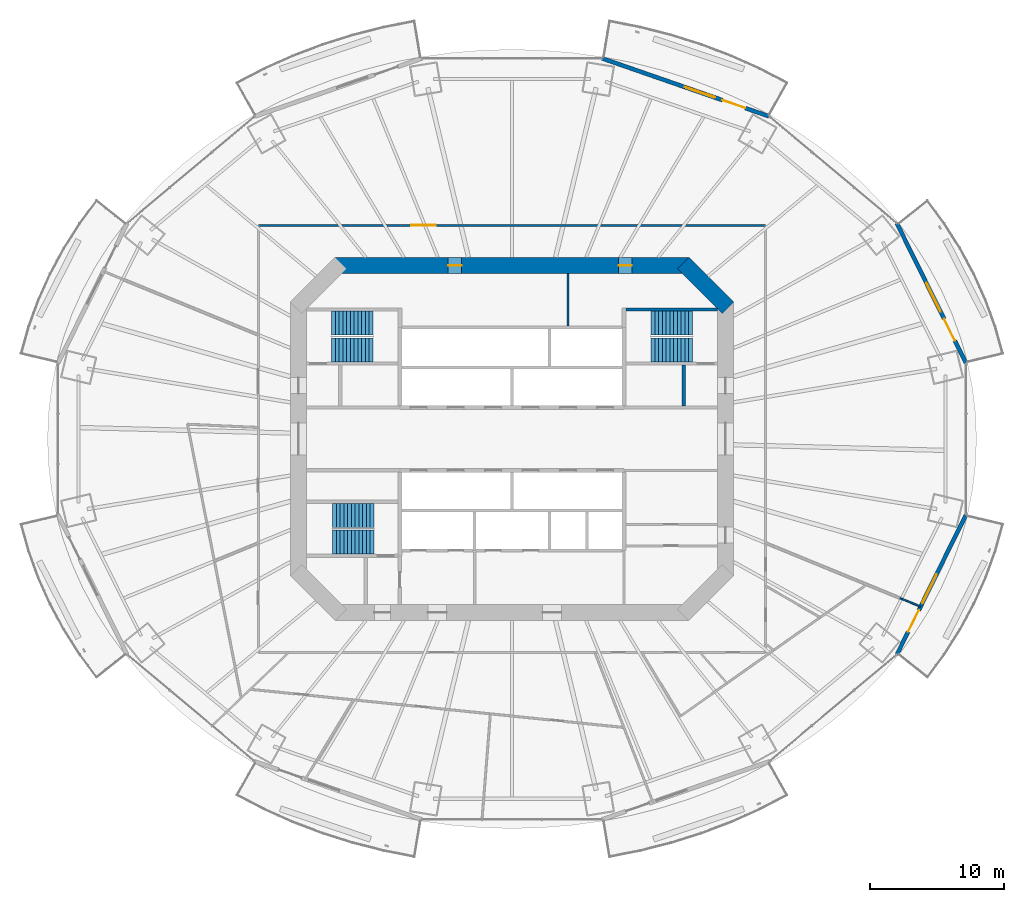
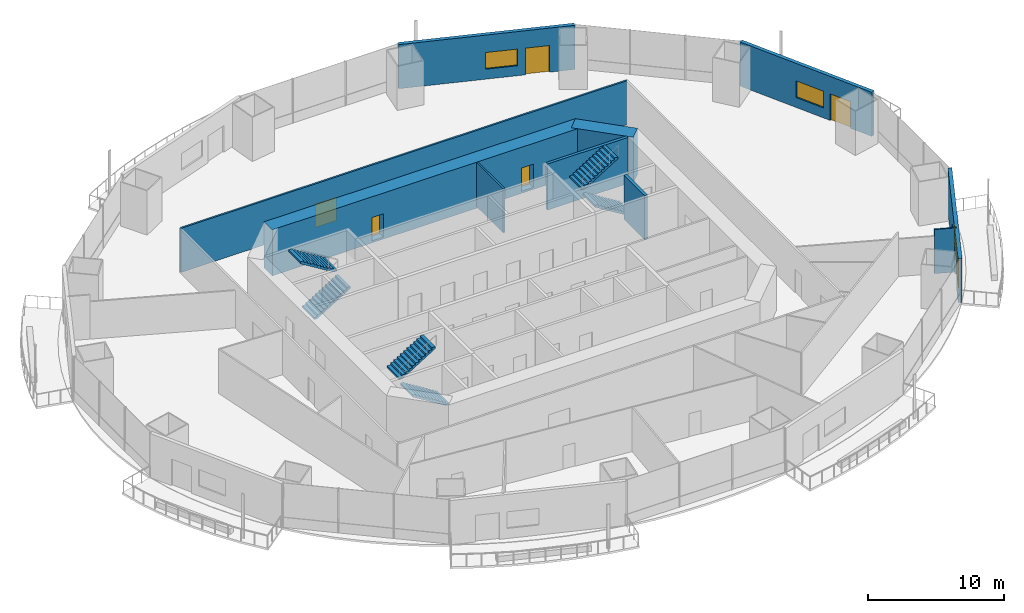
# One storey, part 16 of 22: 10 walls, 6 doors, 6 stair flights, 3 windows, 9 openings, 3 elements without a shape of their own.
"""IFC4 building model written with IfcOpenShell, lengths in metres."""

from ifc_helpers import new_model, si_unit, direction, frame, frame_2d, origin, place, context, subcontext, project, spatial, polyline, rectangle, outline, extrude, material, layer, layer_set, type_object, element, fill, aggregate, save


model = new_model("IFC4")

# Units and contexts
model_context = context("Model", 3, precision=1e-05, world=origin(), true_north=direction((0.0, 1.0)))
body_context = subcontext(model_context, "Body", "Model", "MODEL_VIEW")
ifc_project = project(units=[si_unit("LENGTHUNIT", "METRE"), si_unit("AREAUNIT", "SQUARE_METRE"), si_unit("VOLUMEUNIT", "CUBIC_METRE"), si_unit("PLANEANGLEUNIT", "RADIAN"), si_unit("MASSUNIT", "GRAM", prefix="KILO")], contexts=[model_context])

# Site, building, storey
site_placement = place(None, origin())
site = spatial("IfcSite", under=ifc_project, at=site_placement, CompositionType="ELEMENT")
building_placement = place(site_placement, origin())
building = spatial("IfcBuilding", under=site, at=building_placement, Name="Marenthal Gate Tower", CompositionType="ELEMENT")
storey_placement = place(building_placement, frame((0.0, 0.0, 99.39990234375)))
storey = spatial("IfcBuildingStorey", under=building, at=storey_placement, Name="L20", CompositionType="ELEMENT", Elevation=99.39990234375)

# Wall
ifc_material_1 = material(Name="Concrete 60 MPa", Category="concrete")
ifc_layer_1 = layer(ifc_material_1, 1.199951171875)
ifc_layer_set_1 = layer_set([ifc_layer_1], Name="Core shear wall 1200")
wall_type_1 = type_object("IfcWallType", Name="Core shear wall 1200", PredefinedType="SHEAR", material=ifc_layer_set_1)
wall_1_placement = place(storey_placement, frame((16.17578125, 9.82421875, -0.179931640625), z_axis=(0.0, 0.0, 1.0), x_axis=(-0.707106781187, 0.707106781187, 0.0)))
element("IfcWall", 1, at=wall_1_placement, inside=storey, type_object=wall_type_1, Name="Core wall 03", PredefinedType="SHEAR", context=body_context, shape_type="SweptSolid", body=[
    extrude(rectangle(XDim=4.73974609375, YDim=1.199951171875, at=frame_2d((2.369873046875, 0.0))), origin(), (0.0, 0.0, 1.0), 4.150146484375),
])

# Wall, openings, doors
wall_2_placement = place(storey_placement, frame((13.24853515625, 13.0, -0.179931640625), z_axis=(0.0, 0.0, 1.0), x_axis=(-1.0, 0.0, 0.0)))
wall_2 = element("IfcWall", 2, at=wall_2_placement, inside=storey, type_object=wall_type_1, Name="Core wall 04", PredefinedType="SHEAR", context=body_context, shape_type="SweptSolid", body=[
    extrude(rectangle(XDim=26.4970703125, YDim=1.199951171875, at=frame_2d((13.24853515625, 0.0))), origin(), (0.0, 0.0, 1.0), 4.150146484375),
])
opening_1_placement = place(wall_2_placement, frame((17.0244140625, 0.0, 0.179931640625)))
opening_1 = element("IfcOpeningElement", 3, at=opening_1_placement, cuts=wall_2, Name="Opening D005.01", PredefinedType="OPENING", context=body_context, shape_type="SweptSolid", body=[
    extrude(rectangle(XDim=1.0, YDim=2.10009765625, at=frame_2d((0.5, 1.050048828125))), frame((0.0, 0.60986328125, 0.0), z_axis=(0.0, -1.0, 0.0), x_axis=(1.0, 0.0, 0.0)), (0.0, 0.0, 1.0), 1.219970703125),
])
opening_2_placement = place(wall_2_placement, frame((4.2724609375, 0.0, 0.179931640625)))
opening_2 = element("IfcOpeningElement", 4, at=opening_2_placement, cuts=wall_2, Name="Opening D005.02", PredefinedType="OPENING", context=body_context, shape_type="SweptSolid", body=[
    extrude(rectangle(XDim=1.0, YDim=2.10009765625, at=frame_2d((0.5, 1.050048828125))), frame((0.0, 0.60986328125, 0.0), z_axis=(0.0, -1.0, 0.0), x_axis=(1.0, 0.0, 0.0)), (0.0, 0.0, 1.0), 1.219970703125),
])
ifc_material_2 = material(Name="Steel fire door", Category="steel")
door_type_1 = type_object("IfcDoorType", Name="Fire door FD 45 1000 x 2100", OperationType="NOTDEFINED", PredefinedType="DOOR", material=ifc_material_2)
door_1_placement = place(opening_1_placement, origin())
door_1 = element("IfcDoor", 5, at=door_1_placement, inside=storey, type_object=door_type_1, Name="Door D005.01", OperationType="SINGLE_SWING_RIGHT", OverallHeight=2.10009765625, OverallWidth=1.0, PredefinedType="DOOR", context=body_context, shape_type="SweptSolid", body=[
    extrude(rectangle(XDim=1.0, YDim=2.10009765625, at=frame_2d((0.5, 1.050048828125))), frame((0.0, 0.02490234375, 0.0), z_axis=(0.0, -1.0, 0.0), x_axis=(1.0, 0.0, 0.0)), (0.0, 0.0, 1.0), 0.050048828125),
])
fill(opening_1, door_1)
door_2_placement = place(opening_2_placement, origin())
door_2 = element("IfcDoor", 6, at=door_2_placement, inside=storey, type_object=door_type_1, Name="Door D005.02", OperationType="SINGLE_SWING_RIGHT", OverallHeight=2.10009765625, OverallWidth=1.0, PredefinedType="DOOR", context=body_context, shape_type="SweptSolid", body=[
    extrude(rectangle(XDim=1.0, YDim=2.10009765625, at=frame_2d((0.5, 1.050048828125))), frame((0.0, 0.02490234375, 0.0), z_axis=(0.0, -1.0, 0.0), x_axis=(1.0, 0.0, 0.0)), (0.0, 0.0, 1.0), 0.050048828125),
])
fill(opening_2, door_2)

# Walls
ifc_material_3 = material(Name="Gypsum board on steel studs", Category="steel")
ifc_layer_2 = layer(ifc_material_3, 0.1201171875)
ifc_layer_set_2 = layer_set([ifc_layer_2], Name="Partition 120")
wall_type_2 = type_object("IfcWallType", Name="Partition 120", PredefinedType="PARTITIONING", material=ifc_layer_set_2)
wall_3_placement = place(storey_placement, frame((29.059326171875, -11.923828125, 0.0), z_axis=(0.0, 0.0, 1.0), x_axis=(0.925139536351, -0.379627235957, 0.0)))
element("IfcWall", 7, at=wall_3_placement, inside=storey, type_object=wall_type_2, Name="Partition wall 67", PredefinedType="PARTITIONING", context=body_context, shape_type="SweptSolid", body=[
    extrude(rectangle(XDim=1.6630859375, YDim=0.1201171875, at=frame_2d((0.83154296875, 0.0))), origin(), (0.0, 0.0, 1.0), 3.97021484375),
])
ifc_material_4 = material(Name="Gypsum board on steel studs", Category="steel")
ifc_layer_3 = layer(ifc_material_4, 0.14990234375)
ifc_layer_set_3 = layer_set([ifc_layer_3], Name="Partition 150")
wall_type_3 = type_object("IfcWallType", Name="Partition 150", PredefinedType="PARTITIONING", material=ifc_layer_set_3)
wall_4_placement = place(storey_placement, frame((4.199951171875, 8.4599609375, 0.0), z_axis=(0.0, 0.0, 1.0), x_axis=(0.0, 1.0, 0.0)))
element("IfcWall", 8, at=wall_4_placement, inside=storey, type_object=wall_type_3, Name="Partition wall 40", PredefinedType="PARTITIONING", context=body_context, shape_type="SweptSolid", body=[
    extrude(rectangle(XDim=3.93994140625, YDim=0.14990234375, at=frame_2d((1.969970703125, 0.0))), origin(), (0.0, 0.0, 1.0), 3.97021484375),
])

# Wall, opening, door
wall_5_placement = place(storey_placement, frame((-19.0, 16.0, 0.0), z_axis=(0.0, 0.0, 1.0), x_axis=(1.0, 0.0, 0.0)))
wall_5 = element("IfcWall", 9, at=wall_5_placement, inside=storey, type_object=wall_type_3, Name="Partition wall 53", PredefinedType="PARTITIONING", context=body_context, shape_type="SweptSolid", body=[
    extrude(rectangle(XDim=38.0, YDim=0.14990234375, at=frame_2d((19.0, 0.0))), origin(), (0.0, 0.0, 1.0), 3.97021484375),
])
opening_3_placement = place(wall_5_placement, frame((11.472900390625, 0.0, 0.0)))
opening_3 = element("IfcOpeningElement", 10, at=opening_3_placement, cuts=wall_5, Name="Opening D014.01", PredefinedType="OPENING", context=body_context, shape_type="SweptSolid", body=[
    extrude(rectangle(XDim=1.800048828125, YDim=2.10009765625, at=frame_2d((0.89990234375, 1.050048828125))), frame((0.0, 0.0849609375, 0.0), z_axis=(0.0, -1.0, 0.0), x_axis=(1.0, 0.0, 0.0)), (0.0, 0.0, 1.0), 0.169921875),
])
ifc_material_5 = material(Name="Timber door", Category="wood")
door_type_2 = type_object("IfcDoorType", Name="Double door 1800 x 2100", OperationType="DOUBLE_DOOR_SINGLE_SWING", PredefinedType="DOOR", material=ifc_material_5)
door_3_placement = place(opening_3_placement, origin())
door_3 = element("IfcDoor", 11, at=door_3_placement, inside=storey, type_object=door_type_2, Name="Door D014.01", OperationType="DOUBLE_DOOR_SINGLE_SWING", OverallHeight=2.10009765625, OverallWidth=1.800048828125, PredefinedType="DOOR", context=body_context, shape_type="SweptSolid", body=[
    extrude(rectangle(XDim=1.800048828125, YDim=2.10009765625, at=frame_2d((0.89990234375, 1.050048828125))), frame((0.0, 0.02490234375, 0.0), z_axis=(0.0, -1.0, 0.0), x_axis=(1.0, 0.0, 0.0)), (0.0, 0.0, 1.0), 0.050048828125),
])
fill(opening_3, door_3)

# Walls
ifc_material_6 = material(Name="Concrete 40 MPa", Category="concrete")
ifc_layer_4 = layer(ifc_material_6, 0.25)
ifc_layer_set_4 = layer_set([ifc_layer_4], Name="Stair enclosure wall 250")
wall_type_4 = type_object("IfcWallType", Name="Stair enclosure wall 250", PredefinedType="STANDARD", material=ifc_layer_set_4)
wall_6_placement = place(storey_placement, frame((12.85009765625, 2.47509765625, 0.0), z_axis=(0.0, 0.0, 1.0), x_axis=(0.0, 1.0, 0.0)))
element("IfcWall", 12, at=wall_6_placement, inside=storey, type_object=wall_type_4, Name="Stair wall 46", PredefinedType="STANDARD", context=body_context, shape_type="SweptSolid", body=[
    extrude(rectangle(XDim=3.0498046875, YDim=0.25, at=frame_2d((1.52490234375, 0.0))), origin(), (0.0, 0.0, 1.0), 3.97021484375),
])
ifc_material_7 = material(Name="Concrete 50 MPa", Category="concrete")
ifc_layer_5 = layer(ifc_material_7, 0.25)
ifc_layer_set_5 = layer_set([ifc_layer_5], Name="Stair shear wall 250")
wall_type_5 = type_object("IfcWallType", Name="Stair shear wall 250", PredefinedType="SHEAR", material=ifc_layer_set_5)
wall_7_placement = place(storey_placement, frame((8.550048828125, 9.699951171875, -0.179931640625), z_axis=(0.0, 0.0, 1.0), x_axis=(1.0, 0.0, 0.0)))
element("IfcWall", 13, at=wall_7_placement, inside=storey, type_object=wall_type_5, Name="Stair wall 27", PredefinedType="SHEAR", context=body_context, shape_type="SweptSolid", body=[
    extrude(rectangle(XDim=6.849853515625, YDim=0.25, at=frame_2d((3.4248046875, 0.0))), origin(), (0.0, 0.0, 1.0), 4.150146484375),
])

# Wall, openings, door, window
ifc_material_8 = material(Name="Terracotta cladding on insulated concrete-block backing", Category="masonry")
ifc_layer_6 = layer(ifc_material_8, 0.300048828125)
ifc_layer_set_6 = layer_set([ifc_layer_6], Name="Terracotta facade wall 300")
wall_type_6 = type_object("IfcWallType", Name="Terracotta facade wall 300", PredefinedType="SOLIDWALL", material=ifc_layer_set_6)
wall_8_placement = place(storey_placement, frame((34.001953125, 5.66796875, 0.0), z_axis=(0.0, 0.0, 1.0), x_axis=(-0.4430961796, 0.896474079728, 0.0)))
wall_8 = element("IfcWall", 14, at=wall_8_placement, inside=storey, type_object=wall_type_6, Name="Terracotta facade wall L20 bay 1", PredefinedType="SOLIDWALL", context=body_context, shape_type="SweptSolid", body=[
    extrude(rectangle(XDim=11.6826171875, YDim=0.300048828125, at=frame_2d((5.84130859375, 0.0))), origin(), (0.0, 0.0, 1.0), 3.97021484375),
])
opening_4_placement = place(wall_8_placement, frame((1.89990234375, 0.0, 0.0)))
opening_4 = element("IfcOpeningElement", 15, at=opening_4_placement, cuts=wall_8, Name="Opening BD-L20-01", PredefinedType="OPENING", context=body_context, shape_type="SweptSolid", body=[
    extrude(rectangle(XDim=1.800048828125, YDim=2.39990234375, at=frame_2d((0.89990234375, 1.199951171875))), frame((0.0, 0.16015625, 0.0), z_axis=(0.0, -1.0, 0.0), x_axis=(1.0, 0.0, 0.0)), (0.0, 0.0, 1.0), 0.320068359375),
])
opening_5_placement = place(wall_8_placement, frame((4.300048828125, 0.0, 0.89990234375)))
opening_5 = element("IfcOpeningElement", 16, at=opening_5_placement, cuts=wall_8, Name="Opening WN1-L20-01", PredefinedType="OPENING", context=body_context, shape_type="SweptSolid", body=[
    extrude(rectangle(XDim=2.39990234375, YDim=1.5, at=frame_2d((1.199951171875, 0.75))), frame((0.0, 0.16015625, 0.0), z_axis=(0.0, -1.0, 0.0), x_axis=(1.0, 0.0, 0.0)), (0.0, 0.0, 1.0), 0.320068359375),
])
ifc_material_9 = material(Name="Aluminium and glass", Category="aluminium")
door_type_3 = type_object("IfcDoorType", Name="Balcony door 1800x2400", OperationType="DOUBLE_DOOR_SINGLE_SWING", PredefinedType="DOOR", material=ifc_material_9)
door_4_placement = place(opening_4_placement, origin())
door_4 = element("IfcDoor", 17, at=door_4_placement, inside=storey, type_object=door_type_3, Name="Balcony door L20 bay 1", OperationType="SINGLE_SWING_LEFT", OverallHeight=2.39990234375, OverallWidth=1.800048828125, PredefinedType="DOOR", context=body_context, shape_type="SweptSolid", body=[
    extrude(rectangle(XDim=1.800048828125, YDim=2.39990234375, at=frame_2d((0.89990234375, 1.199951171875))), frame((0.0, 0.02490234375, 0.0), z_axis=(0.0, -1.0, 0.0), x_axis=(1.0, 0.0, 0.0)), (0.0, 0.0, 1.0), 0.050048828125),
])
fill(opening_4, door_4)
ifc_material_10 = material(Name="Aluminium and glass", Category="aluminium")
window_type = type_object("IfcWindowType", Name="Window 2400x1500", PartitioningType="TRIPLE_PANEL_VERTICAL", PredefinedType="WINDOW", material=ifc_material_10)
window_1_placement = place(opening_5_placement, origin())
window_1 = element("IfcWindow", 18, at=window_1_placement, inside=storey, type_object=window_type, Name="Window L20 bay 1", OverallHeight=1.5, OverallWidth=2.39990234375, PartitioningType="SINGLE_PANEL", PredefinedType="WINDOW", context=body_context, shape_type="SweptSolid", body=[
    extrude(rectangle(XDim=2.39990234375, YDim=1.5, at=frame_2d((1.199951171875, 0.75))), frame((0.0, 0.030029296875, 0.0), z_axis=(0.0, -1.0, 0.0), x_axis=(1.0, 0.0, 0.0)), (0.0, 0.0, 1.0), 0.06005859375),
])
fill(opening_5, window_1)

wall_9_placement = place(storey_placement, frame((19.260498046875, 24.15673828125, 0.0), z_axis=(0.0, 0.0, 1.0), x_axis=(-0.944700030718, 0.327935743647, 0.0)))
wall_9 = element("IfcWall", 19, at=wall_9_placement, inside=storey, type_object=wall_type_6, Name="Terracotta facade wall L20 bay 3", PredefinedType="SOLIDWALL", context=body_context, shape_type="SweptSolid", body=[
    extrude(rectangle(XDim=13.228515625, YDim=0.300048828125, at=frame_2d((6.6142578125, 0.0))), origin(), (0.0, 0.0, 1.0), 3.97021484375),
])
opening_6_placement = place(wall_9_placement, frame((1.89990234375, 0.0, 0.0)))
opening_6 = element("IfcOpeningElement", 20, at=opening_6_placement, cuts=wall_9, Name="Opening BD-L20-03", PredefinedType="OPENING", context=body_context, shape_type="SweptSolid", body=[
    extrude(rectangle(XDim=1.800048828125, YDim=2.39990234375, at=frame_2d((0.89990234375, 1.199951171875))), frame((0.0, 0.16015625, 0.0), z_axis=(0.0, -1.0, 0.0), x_axis=(1.0, 0.0, 0.0)), (0.0, 0.0, 1.0), 0.320068359375),
])
opening_7_placement = place(wall_9_placement, frame((4.300048828125, 0.0, 0.89990234375)))
opening_7 = element("IfcOpeningElement", 21, at=opening_7_placement, cuts=wall_9, Name="Opening WN1-L20-03", PredefinedType="OPENING", context=body_context, shape_type="SweptSolid", body=[
    extrude(rectangle(XDim=2.39990234375, YDim=1.5, at=frame_2d((1.199951171875, 0.75))), frame((0.0, 0.16015625, 0.0), z_axis=(0.0, -1.0, 0.0), x_axis=(1.0, 0.0, 0.0)), (0.0, 0.0, 1.0), 0.320068359375),
])
door_5_placement = place(opening_6_placement, origin())
door_5 = element("IfcDoor", 22, at=door_5_placement, inside=storey, type_object=door_type_3, Name="Balcony door L20 bay 3", OperationType="SINGLE_SWING_LEFT", OverallHeight=2.39990234375, OverallWidth=1.800048828125, PredefinedType="DOOR", context=body_context, shape_type="SweptSolid", body=[
    extrude(rectangle(XDim=1.800048828125, YDim=2.39990234375, at=frame_2d((0.89990234375, 1.199951171875))), frame((0.0, 0.02490234375, 0.0), z_axis=(0.0, -1.0, 0.0), x_axis=(1.0, 0.0, 0.0)), (0.0, 0.0, 1.0), 0.050048828125),
])
fill(opening_6, door_5)
window_2_placement = place(opening_7_placement, origin())
window_2 = element("IfcWindow", 23, at=window_2_placement, inside=storey, type_object=window_type, Name="Window L20 bay 3", OverallHeight=1.5, OverallWidth=2.39990234375, PartitioningType="SINGLE_PANEL", PredefinedType="WINDOW", context=body_context, shape_type="SweptSolid", body=[
    extrude(rectangle(XDim=2.39990234375, YDim=1.5, at=frame_2d((1.199951171875, 0.75))), frame((0.0, 0.030029296875, 0.0), z_axis=(0.0, -1.0, 0.0), x_axis=(1.0, 0.0, 0.0)), (0.0, 0.0, 1.0), 0.06005859375),
])
fill(opening_7, window_2)

wall_10_placement = place(storey_placement, frame((28.825439453125, -16.14111328125, 0.0), z_axis=(0.0, 0.0, 1.0), x_axis=(0.4430961796, 0.896474079728, 0.0)))
wall_10 = element("IfcWall", 24, at=wall_10_placement, inside=storey, type_object=wall_type_6, Name="Terracotta facade wall L20 bay 15", PredefinedType="SOLIDWALL", context=body_context, shape_type="SweptSolid", body=[
    extrude(rectangle(XDim=11.6826171875, YDim=0.300048828125, at=frame_2d((5.84130859375, 0.0))), origin(), (0.0, 0.0, 1.0), 3.97021484375),
])
opening_8_placement = place(wall_10_placement, frame((1.89990234375, 0.0, 0.0)))
opening_8 = element("IfcOpeningElement", 25, at=opening_8_placement, cuts=wall_10, Name="Opening BD-L20-15", PredefinedType="OPENING", context=body_context, shape_type="SweptSolid", body=[
    extrude(rectangle(XDim=1.800048828125, YDim=2.39990234375, at=frame_2d((0.89990234375, 1.199951171875))), frame((0.0, 0.16015625, 0.0), z_axis=(0.0, -1.0, 0.0), x_axis=(1.0, 0.0, 0.0)), (0.0, 0.0, 1.0), 0.320068359375),
])
opening_9_placement = place(wall_10_placement, frame((4.300048828125, 0.0, 0.89990234375)))
opening_9 = element("IfcOpeningElement", 26, at=opening_9_placement, cuts=wall_10, Name="Opening WN1-L20-15", PredefinedType="OPENING", context=body_context, shape_type="SweptSolid", body=[
    extrude(rectangle(XDim=2.39990234375, YDim=1.5, at=frame_2d((1.199951171875, 0.75))), frame((0.0, 0.16015625, 0.0), z_axis=(0.0, -1.0, 0.0), x_axis=(1.0, 0.0, 0.0)), (0.0, 0.0, 1.0), 0.320068359375),
])
door_6_placement = place(opening_8_placement, origin())
door_6 = element("IfcDoor", 27, at=door_6_placement, inside=storey, type_object=door_type_3, Name="Balcony door L20 bay 15", OperationType="SINGLE_SWING_LEFT", OverallHeight=2.39990234375, OverallWidth=1.800048828125, PredefinedType="DOOR", context=body_context, shape_type="SweptSolid", body=[
    extrude(rectangle(XDim=1.800048828125, YDim=2.39990234375, at=frame_2d((0.89990234375, 1.199951171875))), frame((0.0, 0.02490234375, 0.0), z_axis=(0.0, -1.0, 0.0), x_axis=(1.0, 0.0, 0.0)), (0.0, 0.0, 1.0), 0.050048828125),
])
fill(opening_8, door_6)
window_3_placement = place(opening_9_placement, origin())
window_3 = element("IfcWindow", 28, at=window_3_placement, inside=storey, type_object=window_type, Name="Window L20 bay 15", OverallHeight=1.5, OverallWidth=2.39990234375, PartitioningType="SINGLE_PANEL", PredefinedType="WINDOW", context=body_context, shape_type="SweptSolid", body=[
    extrude(rectangle(XDim=2.39990234375, YDim=1.5, at=frame_2d((1.199951171875, 0.75))), frame((0.0, 0.030029296875, 0.0), z_axis=(0.0, -1.0, 0.0), x_axis=(1.0, 0.0, 0.0)), (0.0, 0.0, 1.0), 0.06005859375),
])
fill(opening_9, window_3)

# Stair, stair flights
ifc_material_11 = material(Name="Concrete 40 MPa", Category="concrete")
stair_type = type_object("IfcStairType", Name="Exit stair 1800", PredefinedType="HALF_TURN_STAIR", material=ifc_material_11)
stair_1_placement = place(storey_placement, origin())
stair_1 = element("IfcStair", 29, at=stair_1_placement, inside=storey, type_object=stair_type, Name="Stair ST1", PredefinedType="HALF_TURN_STAIR")
ifc_material_12 = material(Name="Concrete 40 MPa", Category="concrete")
stair_flight_type = type_object("IfcStairFlightType", Name="Stair flight 1800", PredefinedType="STRAIGHT", material=ifc_material_12)
stair_flight_1_placement = place(storey_placement, frame((-13.5, 6.675048828125, 0.0), z_axis=(0.0, 0.0, 1.0), x_axis=(1.0, 0.0, 0.0)))
stair_flight_1 = element("IfcStairFlight", 30, at=stair_flight_1_placement, type_object=stair_flight_type, Name="ST1 flight 1", NumberOfRisers=12, NumberOfTreads=11, PredefinedType="STRAIGHT", RiserHeight=0.172916667, TreadLength=0.28, context=body_context, shape_type="SweptSolid", body=[
    extrude(outline(polyline([(0.0, 0.0), (0.0, 0.1728515625), (0.280029296875, 0.1728515625), (0.280029296875, 0.345947265625), (0.56005859375, 0.345947265625), (0.56005859375, 0.518798828125), (0.840087890625, 0.518798828125), (0.840087890625, 0.691650390625), (1.1201171875, 0.691650390625), (1.1201171875, 0.864501953125), (1.39990234375, 0.864501953125), (1.39990234375, 1.03759765625), (1.679931640625, 1.03759765625), (1.679931640625, 1.21044921875), (1.9599609375, 1.21044921875), (1.9599609375, 1.38330078125), (2.239990234375, 1.38330078125), (2.239990234375, 1.55615234375), (2.52001953125, 1.55615234375), (2.52001953125, 1.729248046875), (2.800048828125, 1.729248046875), (2.800048828125, 1.902099609375), (3.080078125, 1.902099609375), (3.080078125, 2.074951171875), (3.080078125, 1.725830078125), (0.285400390625, 0.0), (0.0, 0.0)])), frame((0.0, 0.89990234375, 0.0), z_axis=(0.0, -1.0, 0.0), x_axis=(1.0, 0.0, 0.0)), (0.0, 0.0, 1.0), 1.800048828125),
])
stair_flight_2_placement = place(storey_placement, frame((-10.419921875, 8.675048828125, 2.0751953125), z_axis=(0.0, 0.0, 1.0), x_axis=(-1.0, 0.0, 0.0)))
stair_flight_2 = element("IfcStairFlight", 31, at=stair_flight_2_placement, type_object=stair_flight_type, Name="ST1 flight 2", NumberOfRisers=12, NumberOfTreads=11, PredefinedType="STRAIGHT", RiserHeight=0.172916667, TreadLength=0.28, context=body_context, shape_type="SweptSolid", body=[
    extrude(outline(polyline([(0.0, 0.0), (0.0, 0.1728515625), (0.280029296875, 0.1728515625), (0.280029296875, 0.345947265625), (0.56005859375, 0.345947265625), (0.56005859375, 0.518798828125), (0.840087890625, 0.518798828125), (0.840087890625, 0.691650390625), (1.1201171875, 0.691650390625), (1.1201171875, 0.864501953125), (1.39990234375, 0.864501953125), (1.39990234375, 1.03759765625), (1.679931640625, 1.03759765625), (1.679931640625, 1.21044921875), (1.9599609375, 1.21044921875), (1.9599609375, 1.38330078125), (2.239990234375, 1.38330078125), (2.239990234375, 1.55615234375), (2.52001953125, 1.55615234375), (2.52001953125, 1.729248046875), (2.800048828125, 1.729248046875), (2.800048828125, 1.902099609375), (3.080078125, 1.902099609375), (3.080078125, 2.074951171875), (3.080078125, 1.725830078125), (0.285400390625, 0.0), (0.0, 0.0)])), frame((0.0, 0.89990234375, 0.0), z_axis=(0.0, -1.0, 0.0), x_axis=(1.0, 0.0, 0.0)), (0.0, 0.0, 1.0), 1.800048828125),
])
aggregate(stair_1, [stair_flight_1, stair_flight_2])

stair_2_placement = place(storey_placement, origin())
stair_2 = element("IfcStair", 32, at=stair_2_placement, inside=storey, type_object=stair_type, Name="Stair ST2", PredefinedType="HALF_TURN_STAIR")
stair_flight_3_placement = place(storey_placement, frame((-10.35009765625, -7.72509765625, 0.0), z_axis=(0.0, 0.0, 1.0), x_axis=(-1.0, 0.0, 0.0)))
stair_flight_3 = element("IfcStairFlight", 33, at=stair_flight_3_placement, type_object=stair_flight_type, Name="ST2 flight 1", NumberOfRisers=12, NumberOfTreads=11, PredefinedType="STRAIGHT", RiserHeight=0.172916667, TreadLength=0.28, context=body_context, shape_type="SweptSolid", body=[
    extrude(outline(polyline([(0.0, 0.0), (0.0, 0.1728515625), (0.280029296875, 0.1728515625), (0.280029296875, 0.345947265625), (0.56005859375, 0.345947265625), (0.56005859375, 0.518798828125), (0.840087890625, 0.518798828125), (0.840087890625, 0.691650390625), (1.1201171875, 0.691650390625), (1.1201171875, 0.864501953125), (1.39990234375, 0.864501953125), (1.39990234375, 1.03759765625), (1.679931640625, 1.03759765625), (1.679931640625, 1.21044921875), (1.9599609375, 1.21044921875), (1.9599609375, 1.38330078125), (2.239990234375, 1.38330078125), (2.239990234375, 1.55615234375), (2.52001953125, 1.55615234375), (2.52001953125, 1.729248046875), (2.800048828125, 1.729248046875), (2.800048828125, 1.902099609375), (3.080078125, 1.902099609375), (3.080078125, 2.074951171875), (3.080078125, 1.725830078125), (0.285400390625, 0.0), (0.0, 0.0)])), frame((0.0, 0.89990234375, 0.0), z_axis=(0.0, -1.0, 0.0), x_axis=(1.0, 0.0, 0.0)), (0.0, 0.0, 1.0), 1.800048828125),
])
stair_flight_4_placement = place(storey_placement, frame((-13.429931640625, -5.72509765625, 2.0751953125), z_axis=(0.0, 0.0, 1.0), x_axis=(1.0, 0.0, 0.0)))
stair_flight_4 = element("IfcStairFlight", 34, at=stair_flight_4_placement, type_object=stair_flight_type, Name="ST2 flight 2", NumberOfRisers=12, NumberOfTreads=11, PredefinedType="STRAIGHT", RiserHeight=0.172916667, TreadLength=0.28, context=body_context, shape_type="SweptSolid", body=[
    extrude(outline(polyline([(0.0, 0.0), (0.0, 0.1728515625), (0.280029296875, 0.1728515625), (0.280029296875, 0.345947265625), (0.56005859375, 0.345947265625), (0.56005859375, 0.518798828125), (0.840087890625, 0.518798828125), (0.840087890625, 0.691650390625), (1.1201171875, 0.691650390625), (1.1201171875, 0.864501953125), (1.39990234375, 0.864501953125), (1.39990234375, 1.03759765625), (1.679931640625, 1.03759765625), (1.679931640625, 1.21044921875), (1.9599609375, 1.21044921875), (1.9599609375, 1.38330078125), (2.239990234375, 1.38330078125), (2.239990234375, 1.55615234375), (2.52001953125, 1.55615234375), (2.52001953125, 1.729248046875), (2.800048828125, 1.729248046875), (2.800048828125, 1.902099609375), (3.080078125, 1.902099609375), (3.080078125, 2.074951171875), (3.080078125, 1.725830078125), (0.285400390625, 0.0), (0.0, 0.0)])), frame((0.0, 0.89990234375, 0.0), z_axis=(0.0, -1.0, 0.0), x_axis=(1.0, 0.0, 0.0)), (0.0, 0.0, 1.0), 1.800048828125),
])
aggregate(stair_2, [stair_flight_3, stair_flight_4])

stair_3_placement = place(storey_placement, origin())
stair_3 = element("IfcStair", 35, at=stair_3_placement, inside=storey, type_object=stair_type, Name="Stair ST3", PredefinedType="HALF_TURN_STAIR")
stair_flight_5_placement = place(storey_placement, frame((13.5, 6.675048828125, 0.0), z_axis=(0.0, 0.0, 1.0), x_axis=(-1.0, 0.0, 0.0)))
stair_flight_5 = element("IfcStairFlight", 36, at=stair_flight_5_placement, type_object=stair_flight_type, Name="ST3 flight 1", NumberOfRisers=12, NumberOfTreads=11, PredefinedType="STRAIGHT", RiserHeight=0.172916667, TreadLength=0.28, context=body_context, shape_type="SweptSolid", body=[
    extrude(outline(polyline([(0.0, 0.0), (0.0, 0.1728515625), (0.280029296875, 0.1728515625), (0.280029296875, 0.345947265625), (0.56005859375, 0.345947265625), (0.56005859375, 0.518798828125), (0.840087890625, 0.518798828125), (0.840087890625, 0.691650390625), (1.1201171875, 0.691650390625), (1.1201171875, 0.864501953125), (1.39990234375, 0.864501953125), (1.39990234375, 1.03759765625), (1.679931640625, 1.03759765625), (1.679931640625, 1.21044921875), (1.9599609375, 1.21044921875), (1.9599609375, 1.38330078125), (2.239990234375, 1.38330078125), (2.239990234375, 1.55615234375), (2.52001953125, 1.55615234375), (2.52001953125, 1.729248046875), (2.800048828125, 1.729248046875), (2.800048828125, 1.902099609375), (3.080078125, 1.902099609375), (3.080078125, 2.074951171875), (3.080078125, 1.725830078125), (0.285400390625, 0.0), (0.0, 0.0)])), frame((0.0, 0.89990234375, 0.0), z_axis=(0.0, -1.0, 0.0), x_axis=(1.0, 0.0, 0.0)), (0.0, 0.0, 1.0), 1.800048828125),
])
stair_flight_6_placement = place(storey_placement, frame((10.419921875, 8.675048828125, 2.0751953125), z_axis=(0.0, 0.0, 1.0), x_axis=(1.0, 0.0, 0.0)))
stair_flight_6 = element("IfcStairFlight", 37, at=stair_flight_6_placement, type_object=stair_flight_type, Name="ST3 flight 2", NumberOfRisers=12, NumberOfTreads=11, PredefinedType="STRAIGHT", RiserHeight=0.172916667, TreadLength=0.28, context=body_context, shape_type="SweptSolid", body=[
    extrude(outline(polyline([(0.0, 0.0), (0.0, 0.1728515625), (0.280029296875, 0.1728515625), (0.280029296875, 0.345947265625), (0.56005859375, 0.345947265625), (0.56005859375, 0.518798828125), (0.840087890625, 0.518798828125), (0.840087890625, 0.691650390625), (1.1201171875, 0.691650390625), (1.1201171875, 0.864501953125), (1.39990234375, 0.864501953125), (1.39990234375, 1.03759765625), (1.679931640625, 1.03759765625), (1.679931640625, 1.21044921875), (1.9599609375, 1.21044921875), (1.9599609375, 1.38330078125), (2.239990234375, 1.38330078125), (2.239990234375, 1.55615234375), (2.52001953125, 1.55615234375), (2.52001953125, 1.729248046875), (2.800048828125, 1.729248046875), (2.800048828125, 1.902099609375), (3.080078125, 1.902099609375), (3.080078125, 2.074951171875), (3.080078125, 1.725830078125), (0.285400390625, 0.0), (0.0, 0.0)])), frame((0.0, 0.89990234375, 0.0), z_axis=(0.0, -1.0, 0.0), x_axis=(1.0, 0.0, 0.0)), (0.0, 0.0, 1.0), 1.800048828125),
])
aggregate(stair_3, [stair_flight_5, stair_flight_6])

save(model, "model.ifc")
